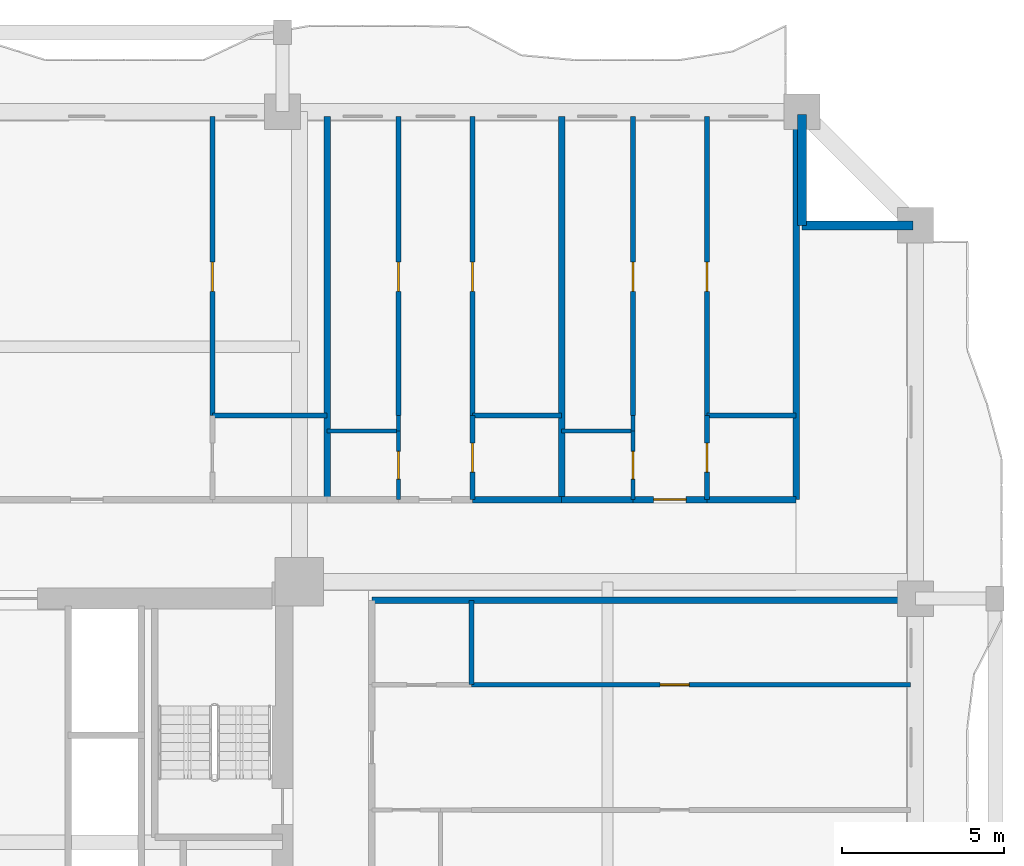
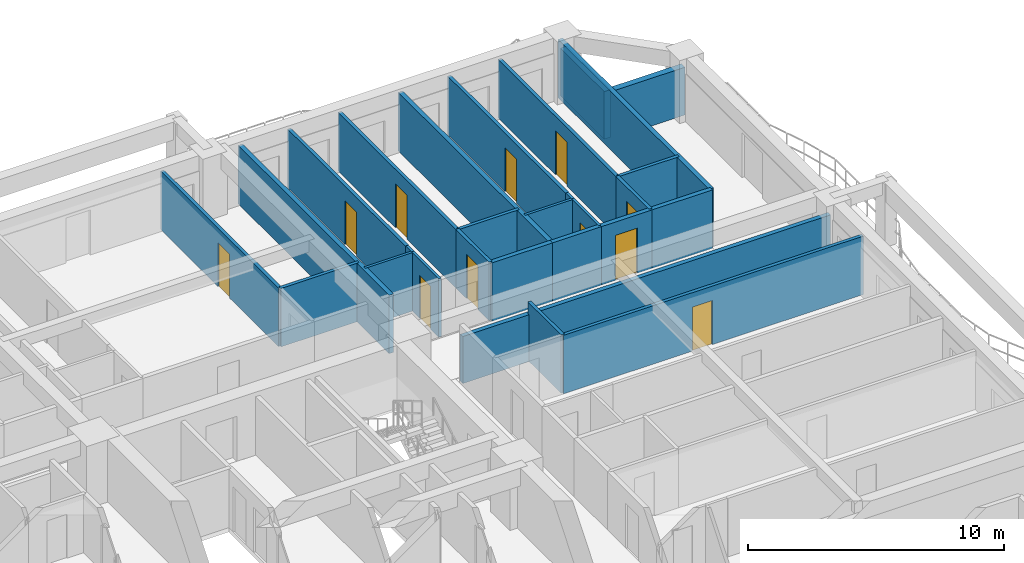
# One storey, part 9 of 17: 28 walls, 11 doors, 11 openings.
"""IFC4 building model written with IfcOpenShell, lengths in metres."""

from ifc_helpers import new_model, si_unit, direction, frame, frame_2d, origin, place, context, subcontext, project, spatial, rectangle, extrude, source, transform, mapped, material, layer, layer_set, type_object, element, fill, save


model = new_model("IFC4")

# Units and contexts
model_context = context("Model", 3, precision=1e-05, world=origin(), true_north=direction((0.0, 1.0)))
body_context = subcontext(model_context, "Body", "Model", "MODEL_VIEW")
ifc_project = project(units=[si_unit("LENGTHUNIT", "METRE"), si_unit("AREAUNIT", "SQUARE_METRE"), si_unit("VOLUMEUNIT", "CUBIC_METRE"), si_unit("PLANEANGLEUNIT", "RADIAN"), si_unit("MASSUNIT", "GRAM", prefix="KILO")], contexts=[model_context])

# Site, building, storey
site_placement = place(None, origin())
site = spatial("IfcSite", under=ifc_project, at=site_placement, CompositionType="ELEMENT")
building_placement = place(site_placement, origin())
building = spatial("IfcBuilding", under=site, at=building_placement, Name="Saelheon Loggia Tower", CompositionType="ELEMENT")
storey_placement = place(building_placement, frame((0.0, 0.0, 22.39990234375)))
storey = spatial("IfcBuildingStorey", under=building, at=storey_placement, Name="L06", CompositionType="ELEMENT", Elevation=22.39990234375)

# Walls
ifc_material_1 = material(Name="Architectural Precast Concrete C40/50", Category="concrete")
ifc_layer_1 = layer(ifc_material_1, 0.280029296875)
ifc_layer_set_1 = layer_set([ifc_layer_1], Name="Architectural Precast Concrete C40/50")
wall_type_1 = type_object("IfcWallType", Name="Wall_Ext_Loggia_280", PredefinedType="SOLIDWALL", material=ifc_layer_set_1)
for number, where, z_axis, x_axis, name in (
    (1, (60.5, 47.5, 0.0), (0.0, 0.0, 1.0), (0.0, 1.0, 0.0), "L06 Corner Notch Precast Wall NE1"),
    (2, (60.5, 47.5, 0.0), (0.0, 0.0, 1.0), (1.0, 0.0, 0.0), "L06 Corner Notch Precast Wall NE2"),
):
    element("IfcWall", number, at=place(storey_placement, frame(where, z_axis=z_axis, x_axis=x_axis)), inside=storey, type_object=wall_type_1, Name=name, PredefinedType="SOLIDWALL", context=body_context, shape_type="SweptSolid", body=[
        extrude(rectangle(XDim=3.419921875, YDim=0.280029296875, at=frame_2d((1.7099609375, 0.0))), origin(), (0.0, 0.0, 1.0), 2.280029296875),
    ])
ifc_material_2 = material(Name="Lightweight Autoclaved Aerated Concrete Block and Acoustic Gypsum", Category="concrete")
ifc_layer_2 = layer(ifc_material_2, 0.14990234375)
ifc_layer_set_2 = layer_set([ifc_layer_2], Name="Lightweight Autoclaved Aerated Concrete Block and Acoustic Gypsum")
wall_type_2 = type_object("IfcWallType", Name="Wall_Part_150", PredefinedType="PARTITIONING", material=ifc_layer_set_2)
wall_1_placement = place(storey_placement, frame((42.344482421875, 41.639892578125, 0.0), z_axis=(0.0, 0.0, 1.0), x_axis=(1.0, 0.0, 0.0)))
element("IfcWall", 3, at=wall_1_placement, inside=storey, type_object=wall_type_2, Name="L06 N Partition V20", PredefinedType="PARTITIONING", context=body_context, shape_type="SweptSolid", body=[
    extrude(rectangle(XDim=3.52880859375, YDim=0.14990234375, at=frame_2d((1.764404296875, 0.0))), origin(), (0.0, 0.0, 1.0), 2.7900390625),
])

# Wall, opening, door
wall_2_placement = place(storey_placement, frame((42.344482421875, 41.639892578125, 0.0), z_axis=(0.0, 0.0, 1.0), x_axis=(0.0, 1.0, 0.0)))
wall_2 = element("IfcWall", 4, at=wall_2_placement, inside=storey, type_object=wall_type_2, Name="L06 N Partition U25", PredefinedType="PARTITIONING", context=body_context, shape_type="SweptSolid", body=[
    extrude(rectangle(XDim=9.210205078125, YDim=0.14990234375, at=frame_2d((4.60498046875, 0.0))), origin(), (0.0, 0.0, 1.0), 2.7900390625),
])
opening_1_placement = place(wall_2_placement, frame((3.82861328125, 0.0, 0.0)))
opening_1 = element("IfcOpeningElement", 5, at=opening_1_placement, cuts=wall_2, Name="Opening D-IN2", PredefinedType="OPENING", context=body_context, shape_type="SweptSolid", body=[
    extrude(rectangle(XDim=0.89990234375, YDim=2.10009765625, at=frame_2d((0.449951171875, 1.050048828125))), frame((0.0, 0.0869140625, 0.0), z_axis=(0.0, -1.0, 0.0), x_axis=(1.0, 0.0, 0.0)), (0.0, 0.0, 1.0), 0.173828125),
])
ifc_material_3 = material(Name="Engineered Oak Flush Door", Category="timber")
door_type_1 = type_object("IfcDoorType", Name="Door_Int_900", OperationType="NOTDEFINED", PredefinedType="DOOR", material=ifc_material_3)
shared_shape_1 = source(origin(), body_context, "Body", "SweptSolid", [
    extrude(rectangle(XDim=0.89990234375, YDim=2.10009765625, at=frame_2d((0.449951171875, 1.050048828125))), frame((0.0, 0.02490234375, 0.0), z_axis=(0.0, -1.0, 0.0), x_axis=(1.0, 0.0, 0.0)), (0.0, 0.0, 1.0), 0.050048828125),
])
door_1_placement = place(opening_1_placement, origin())
door_1 = element("IfcDoor", 6, at=door_1_placement, inside=storey, type_object=door_type_1, Name="Unit U08 Bedroom 1 Door", OperationType="SINGLE_SWING_LEFT", OverallHeight=2.10009765625, OverallWidth=0.89990234375, PredefinedType="DOOR", context=body_context, shape_type="MappedRepresentation", body=[
    mapped(shared_shape_1, transform((0.0, 0.0, 0.0), scale=1.0)),
])
fill(opening_1, door_1)

# Wall
wall_3_placement = place(storey_placement, frame((50.351806640625, 41.639892578125, 0.0), z_axis=(0.0, 0.0, 1.0), x_axis=(1.0, 0.0, 0.0)))
element("IfcWall", 7, at=wall_3_placement, inside=storey, type_object=wall_type_2, Name="L06 N Partition V31", PredefinedType="PARTITIONING", context=body_context, shape_type="SweptSolid", body=[
    extrude(rectangle(XDim=2.744873046875, YDim=0.14990234375, at=frame_2d((1.37255859375, 0.0))), origin(), (0.0, 0.0, 1.0), 2.7900390625),
])

# Wall, opening, door
wall_4_placement = place(storey_placement, frame((48.073486328125, 41.639892578125, 0.0), z_axis=(0.0, 0.0, 1.0), x_axis=(0.0, 1.0, 0.0)))
wall_4 = element("IfcWall", 8, at=wall_4_placement, inside=storey, type_object=wall_type_2, Name="L06 N Partition U34", PredefinedType="PARTITIONING", context=body_context, shape_type="SweptSolid", body=[
    extrude(rectangle(XDim=9.210205078125, YDim=0.14990234375, at=frame_2d((4.60498046875, 0.0))), origin(), (0.0, 0.0, 1.0), 2.7900390625),
])
opening_2_placement = place(wall_4_placement, frame((3.82861328125, 0.0, 0.0)))
opening_2 = element("IfcOpeningElement", 9, at=opening_2_placement, cuts=wall_4, Name="Opening D-IN2", PredefinedType="OPENING", context=body_context, shape_type="SweptSolid", body=[
    extrude(rectangle(XDim=0.89990234375, YDim=2.10009765625, at=frame_2d((0.449951171875, 1.050048828125))), frame((0.0, 0.0869140625, 0.0), z_axis=(0.0, -1.0, 0.0), x_axis=(1.0, 0.0, 0.0)), (0.0, 0.0, 1.0), 0.173828125),
])
door_2_placement = place(opening_2_placement, origin())
door_2 = element("IfcDoor", 10, at=door_2_placement, inside=storey, type_object=door_type_1, Name="Unit U09 Kitchen Door", OperationType="SINGLE_SWING_RIGHT", OverallHeight=2.10009765625, OverallWidth=0.89990234375, PredefinedType="DOOR", context=body_context, shape_type="MappedRepresentation", body=[
    mapped(shared_shape_1, transform((0.0, 0.0, 0.0), scale=1.0)),
])
fill(opening_2, door_2)

wall_5_placement = place(storey_placement, frame((50.351806640625, 39.050048828125, 0.0), z_axis=(0.0, 0.0, 1.0), x_axis=(0.0, 1.0, 0.0)))
wall_5 = element("IfcWall", 11, at=wall_5_placement, inside=storey, type_object=wall_type_2, Name="L06 N Partition U35", PredefinedType="PARTITIONING", context=body_context, shape_type="SweptSolid", body=[
    extrude(rectangle(XDim=2.58984375, YDim=0.14990234375, at=frame_2d((1.294921875, 0.0))), origin(), (0.0, 0.0, 1.0), 2.7900390625),
])
opening_3_placement = place(wall_5_placement, frame((0.844970703125, 0.0, 0.0)))
opening_3 = element("IfcOpeningElement", 12, at=opening_3_placement, cuts=wall_5, Name="Opening D-IN2", PredefinedType="OPENING", context=body_context, shape_type="SweptSolid", body=[
    extrude(rectangle(XDim=0.89990234375, YDim=2.10009765625, at=frame_2d((0.449951171875, 1.050048828125))), frame((0.0, 0.0869140625, 0.0), z_axis=(0.0, -1.0, 0.0), x_axis=(1.0, 0.0, 0.0)), (0.0, 0.0, 1.0), 0.173828125),
])
door_3_placement = place(opening_3_placement, origin())
door_3 = element("IfcDoor", 13, at=door_3_placement, inside=storey, type_object=door_type_1, Name="Unit U09 Dressing Closet Door", OperationType="SINGLE_SWING_LEFT", OverallHeight=2.10009765625, OverallWidth=0.89990234375, PredefinedType="DOOR", context=body_context, shape_type="MappedRepresentation", body=[
    mapped(shared_shape_1, transform((0.0, 0.0, 0.0), scale=1.0)),
])
fill(opening_3, door_3)

wall_6_placement = place(storey_placement, frame((50.351806640625, 41.639892578125, 0.0), z_axis=(0.0, 0.0, 1.0), x_axis=(0.0, 1.0, 0.0)))
wall_6 = element("IfcWall", 14, at=wall_6_placement, inside=storey, type_object=wall_type_2, Name="L06 N Partition U36", PredefinedType="PARTITIONING", context=body_context, shape_type="SweptSolid", body=[
    extrude(rectangle(XDim=9.210205078125, YDim=0.14990234375, at=frame_2d((4.60498046875, 0.0))), origin(), (0.0, 0.0, 1.0), 2.7900390625),
])
opening_4_placement = place(wall_6_placement, frame((3.82861328125, 0.0, 0.0)))
opening_4 = element("IfcOpeningElement", 15, at=opening_4_placement, cuts=wall_6, Name="Opening D-IN2", PredefinedType="OPENING", context=body_context, shape_type="SweptSolid", body=[
    extrude(rectangle(XDim=0.89990234375, YDim=2.10009765625, at=frame_2d((0.449951171875, 1.050048828125))), frame((0.0, 0.0869140625, 0.0), z_axis=(0.0, -1.0, 0.0), x_axis=(1.0, 0.0, 0.0)), (0.0, 0.0, 1.0), 0.173828125),
])
door_4_placement = place(opening_4_placement, origin())
door_4 = element("IfcDoor", 16, at=door_4_placement, inside=storey, type_object=door_type_1, Name="Unit U09 Bedroom 1 Door", OperationType="SINGLE_SWING_RIGHT", OverallHeight=2.10009765625, OverallWidth=0.89990234375, PredefinedType="DOOR", context=body_context, shape_type="MappedRepresentation", body=[
    mapped(shared_shape_1, transform((0.0, 0.0, 0.0), scale=1.0)),
])
fill(opening_4, door_4)

# Wall
wall_7_placement = place(storey_placement, frame((57.5751953125, 41.639892578125, 0.0), z_axis=(0.0, 0.0, 1.0), x_axis=(1.0, 0.0, 0.0)))
element("IfcWall", 17, at=wall_7_placement, inside=storey, type_object=wall_type_2, Name="L06 N Partition V42", PredefinedType="PARTITIONING", context=body_context, shape_type="SweptSolid", body=[
    extrude(rectangle(XDim=2.744873046875, YDim=0.14990234375, at=frame_2d((1.37255859375, 0.0))), origin(), (0.0, 0.0, 1.0), 2.7900390625),
])

# Wall, opening, door
wall_8_placement = place(storey_placement, frame((55.296630859375, 41.639892578125, 0.0), z_axis=(0.0, 0.0, 1.0), x_axis=(0.0, 1.0, 0.0)))
wall_8 = element("IfcWall", 18, at=wall_8_placement, inside=storey, type_object=wall_type_2, Name="L06 N Partition U45", PredefinedType="PARTITIONING", context=body_context, shape_type="SweptSolid", body=[
    extrude(rectangle(XDim=9.210205078125, YDim=0.14990234375, at=frame_2d((4.60498046875, 0.0))), origin(), (0.0, 0.0, 1.0), 2.7900390625),
])
opening_5_placement = place(wall_8_placement, frame((3.82861328125, 0.0, 0.0)))
opening_5 = element("IfcOpeningElement", 19, at=opening_5_placement, cuts=wall_8, Name="Opening D-IN2", PredefinedType="OPENING", context=body_context, shape_type="SweptSolid", body=[
    extrude(rectangle(XDim=0.89990234375, YDim=2.10009765625, at=frame_2d((0.449951171875, 1.050048828125))), frame((0.0, 0.0869140625, 0.0), z_axis=(0.0, -1.0, 0.0), x_axis=(1.0, 0.0, 0.0)), (0.0, 0.0, 1.0), 0.173828125),
])
door_5_placement = place(opening_5_placement, origin())
door_5 = element("IfcDoor", 20, at=door_5_placement, inside=storey, type_object=door_type_1, Name="Unit U10 Kitchen Door", OperationType="SINGLE_SWING_LEFT", OverallHeight=2.10009765625, OverallWidth=0.89990234375, PredefinedType="DOOR", context=body_context, shape_type="MappedRepresentation", body=[
    mapped(shared_shape_1, transform((0.0, 0.0, 0.0), scale=1.0)),
])
fill(opening_5, door_5)

wall_9_placement = place(storey_placement, frame((57.5751953125, 39.050048828125, 0.0), z_axis=(0.0, 0.0, 1.0), x_axis=(0.0, 1.0, 0.0)))
wall_9 = element("IfcWall", 21, at=wall_9_placement, inside=storey, type_object=wall_type_2, Name="L06 N Partition U46", PredefinedType="PARTITIONING", context=body_context, shape_type="SweptSolid", body=[
    extrude(rectangle(XDim=2.58984375, YDim=0.14990234375, at=frame_2d((1.294921875, 0.0))), origin(), (0.0, 0.0, 1.0), 2.7900390625),
])
opening_6_placement = place(wall_9_placement, frame((0.844970703125, 0.0, 0.0)))
opening_6 = element("IfcOpeningElement", 22, at=opening_6_placement, cuts=wall_9, Name="Opening D-IN2", PredefinedType="OPENING", context=body_context, shape_type="SweptSolid", body=[
    extrude(rectangle(XDim=0.89990234375, YDim=2.10009765625, at=frame_2d((0.449951171875, 1.050048828125))), frame((0.0, 0.0869140625, 0.0), z_axis=(0.0, -1.0, 0.0), x_axis=(1.0, 0.0, 0.0)), (0.0, 0.0, 1.0), 0.173828125),
])
door_6_placement = place(opening_6_placement, origin())
door_6 = element("IfcDoor", 23, at=door_6_placement, inside=storey, type_object=door_type_1, Name="Unit U10 Dressing Closet Door", OperationType="SINGLE_SWING_RIGHT", OverallHeight=2.10009765625, OverallWidth=0.89990234375, PredefinedType="DOOR", context=body_context, shape_type="MappedRepresentation", body=[
    mapped(shared_shape_1, transform((0.0, 0.0, 0.0), scale=1.0)),
])
fill(opening_6, door_6)

wall_10_placement = place(storey_placement, frame((57.5751953125, 41.639892578125, 0.0), z_axis=(0.0, 0.0, 1.0), x_axis=(0.0, 1.0, 0.0)))
wall_10 = element("IfcWall", 24, at=wall_10_placement, inside=storey, type_object=wall_type_2, Name="L06 N Partition U47", PredefinedType="PARTITIONING", context=body_context, shape_type="SweptSolid", body=[
    extrude(rectangle(XDim=9.210205078125, YDim=0.14990234375, at=frame_2d((4.60498046875, 0.0))), origin(), (0.0, 0.0, 1.0), 2.7900390625),
])
opening_7_placement = place(wall_10_placement, frame((3.82861328125, 0.0, 0.0)))
opening_7 = element("IfcOpeningElement", 25, at=opening_7_placement, cuts=wall_10, Name="Opening D-IN2", PredefinedType="OPENING", context=body_context, shape_type="SweptSolid", body=[
    extrude(rectangle(XDim=0.89990234375, YDim=2.10009765625, at=frame_2d((0.449951171875, 1.050048828125))), frame((0.0, 0.0869140625, 0.0), z_axis=(0.0, -1.0, 0.0), x_axis=(1.0, 0.0, 0.0)), (0.0, 0.0, 1.0), 0.173828125),
])
door_7_placement = place(opening_7_placement, origin())
door_7 = element("IfcDoor", 26, at=door_7_placement, inside=storey, type_object=door_type_1, Name="Unit U10 Bedroom 1 Door", OperationType="SINGLE_SWING_LEFT", OverallHeight=2.10009765625, OverallWidth=0.89990234375, PredefinedType="DOOR", context=body_context, shape_type="MappedRepresentation", body=[
    mapped(shared_shape_1, transform((0.0, 0.0, 0.0), scale=1.0)),
])
fill(opening_7, door_7)

# Wall
wall_11_placement = place(storey_placement, frame((50.320068359375, 33.35009765625, 0.0), z_axis=(0.0, 0.0, 1.0), x_axis=(0.0, 1.0, 0.0)))
element("IfcWall", 27, at=wall_11_placement, inside=storey, type_object=wall_type_2, Name="L06 E Partition V18", PredefinedType="PARTITIONING", context=body_context, shape_type="SweptSolid", body=[
    extrude(rectangle(XDim=2.599853515625, YDim=0.14990234375, at=frame_2d((1.2998046875, 0.0))), origin(), (0.0, 0.0, 1.0), 2.7900390625),
])

# Wall, opening, door
wall_12_placement = place(storey_placement, frame((50.320068359375, 33.35009765625, 0.0), z_axis=(0.0, 0.0, 1.0), x_axis=(1.0, 0.0, 0.0)))
wall_12 = element("IfcWall", 28, at=wall_12_placement, inside=storey, type_object=wall_type_2, Name="L06 E Partition U23", PredefinedType="PARTITIONING", context=body_context, shape_type="SweptSolid", body=[
    extrude(rectangle(XDim=13.530029296875, YDim=0.14990234375, at=frame_2d((6.76513671875, 0.0))), origin(), (0.0, 0.0, 1.0), 2.7900390625),
])
opening_8_placement = place(wall_12_placement, frame((5.808837890625, 0.0, 0.0)))
opening_8 = element("IfcOpeningElement", 29, at=opening_8_placement, cuts=wall_12, Name="Opening D-IN2", PredefinedType="OPENING", context=body_context, shape_type="SweptSolid", body=[
    extrude(rectangle(XDim=0.89990234375, YDim=2.10009765625, at=frame_2d((0.449951171875, 1.050048828125))), frame((0.0, 0.0869140625, 0.0), z_axis=(0.0, -1.0, 0.0), x_axis=(1.0, 0.0, 0.0)), (0.0, 0.0, 1.0), 0.173828125),
])
door_8_placement = place(opening_8_placement, origin())
door_8 = element("IfcDoor", 30, at=door_8_placement, inside=storey, type_object=door_type_1, Name="Unit U14 Bedroom 1 Door", OperationType="SINGLE_SWING_LEFT", OverallHeight=2.10009765625, OverallWidth=0.89990234375, PredefinedType="DOOR", context=body_context, shape_type="MappedRepresentation", body=[
    mapped(shared_shape_1, transform((0.0, 0.0, 0.0), scale=1.0)),
])
fill(opening_8, door_8)

# Walls
ifc_material_4 = material(Name="Double Acoustic Stud and Fireboard Partition", Category="gypsum")
ifc_layer_3 = layer(ifc_material_4, 0.199951171875)
ifc_layer_set_3 = layer_set([ifc_layer_3], Name="Double Acoustic Stud and Fireboard Partition")
wall_type_3 = type_object("IfcWallType", Name="Wall_Party_200", PredefinedType="PARTITIONING", material=ifc_layer_set_3)
for number, where, z_axis, x_axis, name in (
    (31, (60.320068359375, 39.050048828125, 0.0), (0.0, 0.0, 1.0), (0.0, 1.0, 0.0), "L06 N Partition U02"),
    (32, (45.873291015625, 39.050048828125, 0.0), (0.0, 0.0, 1.0), (0.0, 1.0, 0.0), "L06 N Partition U26"),
):
    element("IfcWall", number, at=place(storey_placement, frame(where, z_axis=z_axis, x_axis=x_axis)), inside=storey, type_object=wall_type_3, Name=name, PredefinedType="PARTITIONING", context=body_context, shape_type="SweptSolid", body=[
        extrude(rectangle(XDim=11.800048828125, YDim=0.199951171875, at=frame_2d((5.89990234375, 0.0))), origin(), (0.0, 0.0, 1.0), 2.7900390625),
    ])
wall_13_placement = place(storey_placement, frame((50.351806640625, 39.050048828125, 0.0), z_axis=(0.0, 0.0, 1.0), x_axis=(1.0, 0.0, 0.0)))
element("IfcWall", 33, at=wall_13_placement, inside=storey, type_object=wall_type_3, Name="L06 N Partition V29", PredefinedType="PARTITIONING", context=body_context, shape_type="SweptSolid", body=[
    extrude(rectangle(XDim=2.744873046875, YDim=0.199951171875, at=frame_2d((1.37255859375, 0.0))), origin(), (0.0, 0.0, 1.0), 2.7900390625),
])
wall_14_placement = place(storey_placement, frame((53.0966796875, 39.050048828125, 0.0), z_axis=(0.0, 0.0, 1.0), x_axis=(0.0, 1.0, 0.0)))
element("IfcWall", 34, at=wall_14_placement, inside=storey, type_object=wall_type_3, Name="L06 N Partition U37", PredefinedType="PARTITIONING", context=body_context, shape_type="SweptSolid", body=[
    extrude(rectangle(XDim=11.800048828125, YDim=0.199951171875, at=frame_2d((5.89990234375, 0.0))), origin(), (0.0, 0.0, 1.0), 2.7900390625),
])
wall_15_placement = place(storey_placement, frame((53.0966796875, 39.050048828125, 0.0), z_axis=(0.0, 0.0, 1.0), x_axis=(1.0, 0.0, 0.0)))
element("IfcWall", 35, at=wall_15_placement, inside=storey, type_object=wall_type_3, Name="L06 N Partition V38", PredefinedType="PARTITIONING", context=body_context, shape_type="SweptSolid", body=[
    extrude(rectangle(XDim=2.199951171875, YDim=0.199951171875, at=frame_2d((1.10009765625, 0.0))), origin(), (0.0, 0.0, 1.0), 2.7900390625),
])

# Wall, opening, door
wall_16_placement = place(storey_placement, frame((55.296630859375, 39.050048828125, 0.0), z_axis=(0.0, 0.0, 1.0), x_axis=(1.0, 0.0, 0.0)))
wall_16 = element("IfcWall", 36, at=wall_16_placement, inside=storey, type_object=wall_type_3, Name="L06 N Partition V39", PredefinedType="PARTITIONING", context=body_context, shape_type="SweptSolid", body=[
    extrude(rectangle(XDim=2.278564453125, YDim=0.199951171875, at=frame_2d((1.13916015625, 0.0))), origin(), (0.0, 0.0, 1.0), 2.7900390625),
])
opening_9_placement = place(wall_16_placement, frame((0.63916015625, 0.0, 0.0)))
opening_9 = element("IfcOpeningElement", 37, at=opening_9_placement, cuts=wall_16, Name="Opening D-FD1", PredefinedType="OPENING", context=body_context, shape_type="SweptSolid", body=[
    extrude(rectangle(XDim=1.0, YDim=2.14990234375, at=frame_2d((0.5, 1.074951171875))), frame((0.0, 0.112060546875, 0.0), z_axis=(0.0, -1.0, 0.0), x_axis=(1.0, 0.0, 0.0)), (0.0, 0.0, 1.0), 0.223876953125),
])
ifc_material_5 = material(Name="Fire-Rated Engineered Timber Entrance Door", Category="wood")
door_type_2 = type_object("IfcDoorType", Name="Door_Flat_FD30S", OperationType="NOTDEFINED", PredefinedType="DOOR", material=ifc_material_5)
shared_shape_2 = source(origin(), body_context, "Body", "SweptSolid", [
    extrude(rectangle(XDim=1.0, YDim=2.14990234375, at=frame_2d((0.5, 1.074951171875))), frame((0.0, 0.02490234375, 0.0), z_axis=(0.0, -1.0, 0.0), x_axis=(1.0, 0.0, 0.0)), (0.0, 0.0, 1.0), 0.050048828125),
])
door_9_placement = place(opening_9_placement, origin())
door_9 = element("IfcDoor", 38, at=door_9_placement, inside=storey, type_object=door_type_2, Name="Unit U10 Entrance Door", OperationType="SINGLE_SWING_LEFT", OverallHeight=2.14990234375, OverallWidth=1.0, PredefinedType="DOOR", context=body_context, shape_type="MappedRepresentation", body=[
    mapped(shared_shape_2, transform((0.0, 0.0, 0.0), scale=1.0)),
])
fill(opening_9, door_9)

# Walls
wall_17_placement = place(storey_placement, frame((57.5751953125, 39.050048828125, 0.0), z_axis=(0.0, 0.0, 1.0), x_axis=(1.0, 0.0, 0.0)))
element("IfcWall", 39, at=wall_17_placement, inside=storey, type_object=wall_type_3, Name="L06 N Partition V40", PredefinedType="PARTITIONING", context=body_context, shape_type="SweptSolid", body=[
    extrude(rectangle(XDim=2.744873046875, YDim=0.199951171875, at=frame_2d((1.37255859375, 0.0))), origin(), (0.0, 0.0, 1.0), 2.7900390625),
])
wall_18_placement = place(storey_placement, frame((47.25, 35.949951171875, 0.0), z_axis=(0.0, 0.0, 1.0), x_axis=(1.0, 0.0, 0.0)))
element("IfcWall", 40, at=wall_18_placement, inside=storey, type_object=wall_type_3, Name="L06 E Partition U02", PredefinedType="PARTITIONING", context=body_context, shape_type="SweptSolid", body=[
    extrude(rectangle(XDim=16.60009765625, YDim=0.199951171875, at=frame_2d((8.300048828125, 0.0))), origin(), (0.0, 0.0, 1.0), 2.239990234375),
])
ifc_material_6 = material(Name="Moisture-Resistant Cement Board Partition", Category="gypsum")
ifc_layer_4 = layer(ifc_material_6, 0.1201171875)
ifc_layer_set_4 = layer_set([ifc_layer_4], Name="Moisture-Resistant Cement Board Partition")
wall_type_4 = type_object("IfcWallType", Name="Wall_WetPart_120", PredefinedType="PARTITIONING", material=ifc_layer_set_4)
wall_19_placement = place(storey_placement, frame((45.873291015625, 41.169921875, 0.0), z_axis=(0.0, 0.0, 1.0), x_axis=(1.0, 0.0, 0.0)))
element("IfcWall", 41, at=wall_19_placement, inside=storey, type_object=wall_type_4, Name="L06 N Partition V30", PredefinedType="PARTITIONING", context=body_context, shape_type="SweptSolid", body=[
    extrude(rectangle(XDim=2.2001953125, YDim=0.1201171875, at=frame_2d((1.10009765625, 0.0))), origin(), (0.0, 0.0, 1.0), 2.7900390625),
])

# Wall, opening, door
wall_20_placement = place(storey_placement, frame((48.073486328125, 39.050048828125, 0.0), z_axis=(0.0, 0.0, 1.0), x_axis=(0.0, 1.0, 0.0)))
wall_20 = element("IfcWall", 42, at=wall_20_placement, inside=storey, type_object=wall_type_4, Name="L06 N Partition U32", PredefinedType="PARTITIONING", context=body_context, shape_type="SweptSolid", body=[
    extrude(rectangle(XDim=2.119873046875, YDim=0.1201171875, at=frame_2d((1.06005859375, 0.0))), origin(), (0.0, 0.0, 1.0), 2.7900390625),
])
opening_10_placement = place(wall_20_placement, frame((0.635009765625, 0.0, 0.0)))
opening_10 = element("IfcOpeningElement", 43, at=opening_10_placement, cuts=wall_20, Name="Opening D-BT1", PredefinedType="OPENING", context=body_context, shape_type="SweptSolid", body=[
    extrude(rectangle(XDim=0.85009765625, YDim=2.050048828125, at=frame_2d((0.425048828125, 1.02490234375))), frame((0.0, 0.072021484375, 0.0), z_axis=(0.0, -1.0, 0.0), x_axis=(1.0, 0.0, 0.0)), (0.0, 0.0, 1.0), 0.14404296875),
])
ifc_material_7 = material(Name="Moisture-Resistant Laminate Timber Door", Category="wood")
door_type_3 = type_object("IfcDoorType", Name="Door_Bath_850", OperationType="NOTDEFINED", PredefinedType="DOOR", material=ifc_material_7)
shared_shape_3 = source(origin(), body_context, "Body", "SweptSolid", [
    extrude(rectangle(XDim=0.85009765625, YDim=2.050048828125, at=frame_2d((0.425048828125, 1.02490234375))), frame((0.0, 0.02490234375, 0.0), z_axis=(0.0, -1.0, 0.0), x_axis=(1.0, 0.0, 0.0)), (0.0, 0.0, 1.0), 0.050048828125),
])
door_10_placement = place(opening_10_placement, origin())
door_10 = element("IfcDoor", 44, at=door_10_placement, inside=storey, type_object=door_type_3, Name="Unit U09 Bathroom Door", OperationType="SINGLE_SWING_LEFT", OverallHeight=2.050048828125, OverallWidth=0.85009765625, PredefinedType="DOOR", context=body_context, shape_type="MappedRepresentation", body=[
    mapped(shared_shape_3, transform((0.0, 0.0, 0.0), scale=1.0)),
])
fill(opening_10, door_10)

# Walls
wall_21_placement = place(storey_placement, frame((48.073486328125, 41.169921875, 0.0), z_axis=(0.0, 0.0, 1.0), x_axis=(0.0, 1.0, 0.0)))
element("IfcWall", 45, at=wall_21_placement, inside=storey, type_object=wall_type_4, Name="L06 N Partition U33", PredefinedType="PARTITIONING", context=body_context, shape_type="SweptSolid", body=[
    extrude(rectangle(XDim=0.469970703125, YDim=0.1201171875, at=frame_2d((0.23486328125, 0.0))), origin(), (0.0, 0.0, 1.0), 2.7900390625),
])
wall_22_placement = place(storey_placement, frame((53.0966796875, 41.169921875, 0.0), z_axis=(0.0, 0.0, 1.0), x_axis=(1.0, 0.0, 0.0)))
element("IfcWall", 46, at=wall_22_placement, inside=storey, type_object=wall_type_4, Name="L06 N Partition V41", PredefinedType="PARTITIONING", context=body_context, shape_type="SweptSolid", body=[
    extrude(rectangle(XDim=2.199951171875, YDim=0.1201171875, at=frame_2d((1.10009765625, 0.0))), origin(), (0.0, 0.0, 1.0), 2.7900390625),
])

# Wall, opening, door
wall_23_placement = place(storey_placement, frame((55.296630859375, 39.050048828125, 0.0), z_axis=(0.0, 0.0, 1.0), x_axis=(0.0, 1.0, 0.0)))
wall_23 = element("IfcWall", 47, at=wall_23_placement, inside=storey, type_object=wall_type_4, Name="L06 N Partition U43", PredefinedType="PARTITIONING", context=body_context, shape_type="SweptSolid", body=[
    extrude(rectangle(XDim=2.119873046875, YDim=0.1201171875, at=frame_2d((1.06005859375, 0.0))), origin(), (0.0, 0.0, 1.0), 2.7900390625),
])
opening_11_placement = place(wall_23_placement, frame((0.635009765625, 0.0, 0.0)))
opening_11 = element("IfcOpeningElement", 48, at=opening_11_placement, cuts=wall_23, Name="Opening D-BT1", PredefinedType="OPENING", context=body_context, shape_type="SweptSolid", body=[
    extrude(rectangle(XDim=0.85009765625, YDim=2.050048828125, at=frame_2d((0.425048828125, 1.02490234375))), frame((0.0, 0.072021484375, 0.0), z_axis=(0.0, -1.0, 0.0), x_axis=(1.0, 0.0, 0.0)), (0.0, 0.0, 1.0), 0.14404296875),
])
door_11_placement = place(opening_11_placement, origin())
door_11 = element("IfcDoor", 49, at=door_11_placement, inside=storey, type_object=door_type_3, Name="Unit U10 Bathroom Door", OperationType="SINGLE_SWING_RIGHT", OverallHeight=2.050048828125, OverallWidth=0.85009765625, PredefinedType="DOOR", context=body_context, shape_type="MappedRepresentation", body=[
    mapped(shared_shape_3, transform((0.0, 0.0, 0.0), scale=1.0)),
])
fill(opening_11, door_11)

# Wall
wall_24_placement = place(storey_placement, frame((55.296630859375, 41.169921875, 0.0), z_axis=(0.0, 0.0, 1.0), x_axis=(0.0, 1.0, 0.0)))
element("IfcWall", 50, at=wall_24_placement, inside=storey, type_object=wall_type_4, Name="L06 N Partition U44", PredefinedType="PARTITIONING", context=body_context, shape_type="SweptSolid", body=[
    extrude(rectangle(XDim=0.469970703125, YDim=0.1201171875, at=frame_2d((0.23486328125, 0.0))), origin(), (0.0, 0.0, 1.0), 2.7900390625),
])

save(model, "model.ifc")
